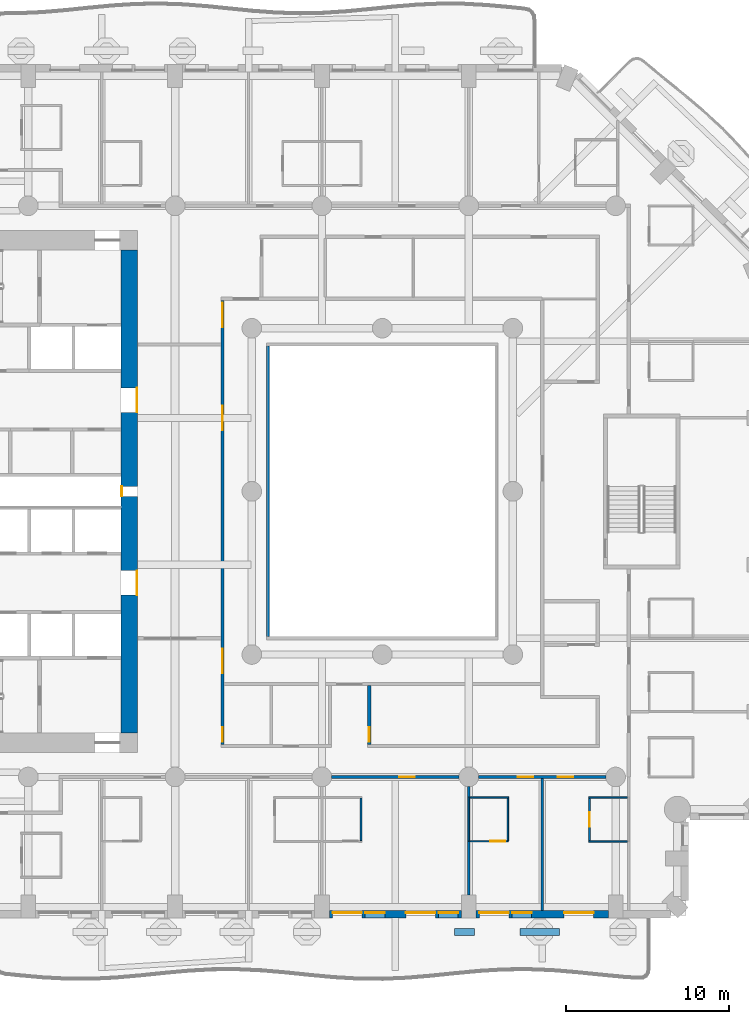
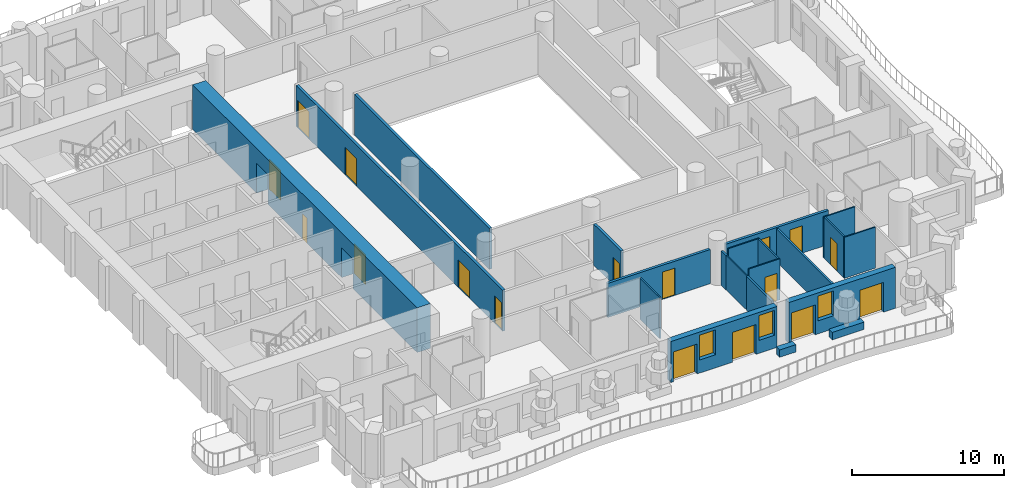
# One storey, part 5 of 20: 21 walls, 17 doors, 3 windows, 20 openings.
"""IFC4 building model written with IfcOpenShell, lengths in metres."""

from ifc_helpers import new_model, si_unit, direction, frame, frame_2d, origin, place, context, subcontext, project, spatial, rectangle, extrude, material, layer, layer_set, type_object, element, fill, save


model = new_model("IFC4")

# Units and contexts
model_context = context("Model", 3, precision=1e-05, world=origin(), true_north=direction((0.0, 1.0)))
body_context = subcontext(model_context, "Body", "Model", "MODEL_VIEW")
ifc_project = project(units=[si_unit("LENGTHUNIT", "METRE"), si_unit("AREAUNIT", "SQUARE_METRE"), si_unit("VOLUMEUNIT", "CUBIC_METRE"), si_unit("PLANEANGLEUNIT", "RADIAN"), si_unit("MASSUNIT", "GRAM", prefix="KILO")], contexts=[model_context])

# Site, building, storey
site_placement = place(None, origin())
site = spatial("IfcSite", under=ifc_project, at=site_placement, CompositionType="ELEMENT")
building_placement = place(site_placement, origin())
building = spatial("IfcBuilding", under=site, at=building_placement, Name="Cypress Arch Tower", CompositionType="ELEMENT")
storey_placement = place(building_placement, frame((0.0, 0.0, 91.5)))
storey = spatial("IfcBuildingStorey", under=building, at=storey_placement, Name="L17", CompositionType="ELEMENT", Elevation=91.5)

# Walls
ifc_material_1 = material(Name="Concrete C40/50, waterproofed", Category="concrete")
ifc_layer_1 = layer(ifc_material_1, 0.449951171875)
ifc_layer_set_1 = layer_set([ifc_layer_1], Name="Balcony planter wall PW450")
wall_type_1 = type_object("IfcWallType", Name="Balcony planter wall PW450", PredefinedType="SOLIDWALL", material=ifc_layer_set_1)
wall_1_placement = place(storey_placement, frame((5.419921875, -27.0, 0.0), z_axis=(0.0, 0.0, 1.0), x_axis=(1.0, 0.0, 0.0)))
element("IfcWall", 1, at=wall_1_placement, inside=storey, type_object=wall_type_1, Name="Balcony planter wall L17-A03.5", PredefinedType="SOLIDWALL", context=body_context, shape_type="SweptSolid", body=[
    extrude(rectangle(XDim=1.22998046875, YDim=0.449951171875, at=frame_2d((0.614990234375, 0.0))), origin(), (0.0, 0.0, 1.0), 0.60009765625),
])
wall_2_placement = place(storey_placement, frame((9.429931640625, -27.0, 0.0), z_axis=(0.0, 0.0, 1.0), x_axis=(1.0, 0.0, 0.0)))
element("IfcWall", 2, at=wall_2_placement, inside=storey, type_object=wall_type_1, Name="Balcony planter wall L17-A03.6", PredefinedType="SOLIDWALL", context=body_context, shape_type="SweptSolid", body=[
    extrude(rectangle(XDim=2.420166015625, YDim=0.449951171875, at=frame_2d((1.2099609375, 0.0))), origin(), (0.0, 0.0, 1.0), 0.60009765625),
])

# Wall, openings, doors, windows
ifc_material_2 = material(Name="Brick (red buff blend)", Category="masonry")
ifc_layer_2 = layer(ifc_material_2, 0.449951171875)
ifc_layer_set_2 = layer_set([ifc_layer_2], Name="Brick pier and spandrel wall BW450")
wall_type_2 = type_object("IfcWallType", Name="Brick pier and spandrel wall BW450", PredefinedType="SOLIDWALL", material=ifc_layer_set_2)
wall_3_placement = place(storey_placement, frame((-2.25, -25.925048828125, 0.0), z_axis=(0.0, 0.0, 1.0), x_axis=(1.0, 0.0, 0.0)))
wall_3 = element("IfcWall", 3, at=wall_3_placement, inside=storey, type_object=wall_type_2, Name="Brick wall L17 A03.3", PredefinedType="SOLIDWALL", context=body_context, shape_type="SweptSolid", body=[
    extrude(rectangle(XDim=8.10009765625, YDim=0.449951171875, at=frame_2d((4.050048828125, 0.0))), origin(), (0.0, 0.0, 1.0), 3.300048828125),
])
opening_1_placement = place(wall_3_placement, frame((0.199951171875, 0.0, 0.0)))
opening_1 = element("IfcOpeningElement", 4, at=opening_1_placement, cuts=wall_3, Name="Opening D-L17-A03.3.1", PredefinedType="OPENING", context=body_context, shape_type="SweptSolid", body=[
    extrude(rectangle(XDim=1.800048828125, YDim=2.39990234375, at=frame_2d((0.89990234375, 1.199951171875))), frame((0.0, 0.23486328125, 0.0), z_axis=(0.0, -1.0, 0.0), x_axis=(1.0, 0.0, 0.0)), (0.0, 0.0, 1.0), 0.469970703125),
])
opening_2_placement = place(wall_3_placement, frame((2.199951171875, 0.0, 1.050048828125)))
opening_2 = element("IfcOpeningElement", 5, at=opening_2_placement, cuts=wall_3, Name="Opening W120HD", PredefinedType="OPENING", context=body_context, shape_type="SweptSolid", body=[
    extrude(rectangle(XDim=1.199951171875, YDim=2.0, at=frame_2d((0.60009765625, 1.0))), frame((0.0, 0.23486328125, 0.0), z_axis=(0.0, -1.0, 0.0), x_axis=(1.0, 0.0, 0.0)), (0.0, 0.0, 1.0), 0.469970703125),
])
opening_3_placement = place(wall_3_placement, frame((4.699951171875, 0.0, 0.0)))
opening_3 = element("IfcOpeningElement", 6, at=opening_3_placement, cuts=wall_3, Name="Opening D-L17-A03.3.2", PredefinedType="OPENING", context=body_context, shape_type="SweptSolid", body=[
    extrude(rectangle(XDim=1.800048828125, YDim=2.39990234375, at=frame_2d((0.89990234375, 1.199951171875))), frame((0.0, 0.23486328125, 0.0), z_axis=(0.0, -1.0, 0.0), x_axis=(1.0, 0.0, 0.0)), (0.0, 0.0, 1.0), 0.469970703125),
])
opening_4_placement = place(wall_3_placement, frame((6.699951171875, 0.0, 1.050048828125)))
opening_4 = element("IfcOpeningElement", 7, at=opening_4_placement, cuts=wall_3, Name="Opening W120HD", PredefinedType="OPENING", context=body_context, shape_type="SweptSolid", body=[
    extrude(rectangle(XDim=1.199951171875, YDim=2.0, at=frame_2d((0.60009765625, 1.0))), frame((0.0, 0.23486328125, 0.0), z_axis=(0.0, -1.0, 0.0), x_axis=(1.0, 0.0, 0.0)), (0.0, 0.0, 1.0), 0.469970703125),
])
ifc_material_3 = material(Name="Anodised aluminium, bronze finish, laminated low-emissivity double glazing, large-missile impact rated", Category="aluminium")
door_type_1 = type_object("IfcDoorType", Name="Balcony sliding door 1800x2400", OperationType="SLIDING_TO_LEFT", PredefinedType="DOOR", material=ifc_material_3)
door_1_placement = place(opening_1_placement, origin())
door_1 = element("IfcDoor", 8, at=door_1_placement, inside=storey, type_object=door_type_1, Name="Balcony door L17 A03.3.1", OperationType="SLIDING_TO_LEFT", OverallHeight=2.39990234375, OverallWidth=1.800048828125, PredefinedType="DOOR", context=body_context, shape_type="SweptSolid", body=[
    extrude(rectangle(XDim=1.800048828125, YDim=2.39990234375, at=frame_2d((0.89990234375, 1.199951171875))), frame((0.0, 0.1298828125, 0.0), z_axis=(0.0, -1.0, 0.0), x_axis=(1.0, 0.0, 0.0)), (0.0, 0.0, 1.0), 0.050048828125),
])
fill(opening_1, door_1)
door_2_placement = place(opening_3_placement, origin())
door_2 = element("IfcDoor", 9, at=door_2_placement, inside=storey, type_object=door_type_1, Name="Balcony door L17 A03.3.2", OperationType="SLIDING_TO_LEFT", OverallHeight=2.39990234375, OverallWidth=1.800048828125, PredefinedType="DOOR", context=body_context, shape_type="SweptSolid", body=[
    extrude(rectangle(XDim=1.800048828125, YDim=2.39990234375, at=frame_2d((0.89990234375, 1.199951171875))), frame((0.0, 0.1298828125, 0.0), z_axis=(0.0, -1.0, 0.0), x_axis=(1.0, 0.0, 0.0)), (0.0, 0.0, 1.0), 0.050048828125),
])
fill(opening_3, door_2)
ifc_material_4 = material(Name="Anodised aluminium, bronze finish, laminated low-emissivity double glazing, large-missile impact rated", Category="aluminium")
window_type = type_object("IfcWindowType", Name="Window Hotel 1200x2000 debris-rated", PartitioningType="SINGLE_PANEL", PredefinedType="WINDOW", material=ifc_material_4)
window_1_placement = place(opening_2_placement, origin())
window_1 = element("IfcWindow", 10, at=window_1_placement, inside=storey, type_object=window_type, Name="Window L17 A03.3.1", OverallHeight=2.0, OverallWidth=1.199951171875, PartitioningType="SINGLE_PANEL", PredefinedType="WINDOW", context=body_context, shape_type="SweptSolid", body=[
    extrude(rectangle(XDim=1.199951171875, YDim=2.0, at=frame_2d((0.60009765625, 1.0))), frame((0.0, 0.135009765625, 0.0), z_axis=(0.0, -1.0, 0.0), x_axis=(1.0, 0.0, 0.0)), (0.0, 0.0, 1.0), 0.06005859375),
])
fill(opening_2, window_1)
window_2_placement = place(opening_4_placement, origin())
window_2 = element("IfcWindow", 11, at=window_2_placement, inside=storey, type_object=window_type, Name="Window L17 A03.3.2", OverallHeight=2.0, OverallWidth=1.199951171875, PartitioningType="SINGLE_PANEL", PredefinedType="WINDOW", context=body_context, shape_type="SweptSolid", body=[
    extrude(rectangle(XDim=1.199951171875, YDim=2.0, at=frame_2d((0.60009765625, 1.0))), frame((0.0, 0.135009765625, 0.0), z_axis=(0.0, -1.0, 0.0), x_axis=(1.0, 0.0, 0.0)), (0.0, 0.0, 1.0), 0.06005859375),
])
fill(opening_4, window_2)

# Wall, openings, doors, window
wall_4_placement = place(storey_placement, frame((6.75, -25.925048828125, 0.0), z_axis=(0.0, 0.0, 1.0), x_axis=(1.0, 0.0, 0.0)))
wall_4 = element("IfcWall", 12, at=wall_4_placement, inside=storey, type_object=wall_type_2, Name="Brick wall L17 A03.4", PredefinedType="SOLIDWALL", context=body_context, shape_type="SweptSolid", body=[
    extrude(rectangle(XDim=8.10009765625, YDim=0.449951171875, at=frame_2d((4.050048828125, 0.0))), origin(), (0.0, 0.0, 1.0), 3.300048828125),
])
opening_5_placement = place(wall_4_placement, frame((0.199951171875, 0.0, 0.0)))
opening_5 = element("IfcOpeningElement", 13, at=opening_5_placement, cuts=wall_4, Name="Opening D-L17-A03.4.1", PredefinedType="OPENING", context=body_context, shape_type="SweptSolid", body=[
    extrude(rectangle(XDim=1.800048828125, YDim=2.39990234375, at=frame_2d((0.89990234375, 1.199951171875))), frame((0.0, 0.23486328125, 0.0), z_axis=(0.0, -1.0, 0.0), x_axis=(1.0, 0.0, 0.0)), (0.0, 0.0, 1.0), 0.469970703125),
])
opening_6_placement = place(wall_4_placement, frame((2.199951171875, 0.0, 1.050048828125)))
opening_6 = element("IfcOpeningElement", 14, at=opening_6_placement, cuts=wall_4, Name="Opening W120HD", PredefinedType="OPENING", context=body_context, shape_type="SweptSolid", body=[
    extrude(rectangle(XDim=1.199951171875, YDim=2.0, at=frame_2d((0.60009765625, 1.0))), frame((0.0, 0.23486328125, 0.0), z_axis=(0.0, -1.0, 0.0), x_axis=(1.0, 0.0, 0.0)), (0.0, 0.0, 1.0), 0.469970703125),
])
opening_7_placement = place(wall_4_placement, frame((5.39990234375, 0.0, 0.0)))
opening_7 = element("IfcOpeningElement", 15, at=opening_7_placement, cuts=wall_4, Name="Opening D-L17-A03.4.2", PredefinedType="OPENING", context=body_context, shape_type="SweptSolid", body=[
    extrude(rectangle(XDim=1.800048828125, YDim=2.39990234375, at=frame_2d((0.89990234375, 1.199951171875))), frame((0.0, 0.23486328125, 0.0), z_axis=(0.0, -1.0, 0.0), x_axis=(1.0, 0.0, 0.0)), (0.0, 0.0, 1.0), 0.469970703125),
])
door_3_placement = place(opening_5_placement, origin())
door_3 = element("IfcDoor", 16, at=door_3_placement, inside=storey, type_object=door_type_1, Name="Balcony door L17 A03.4.1", OperationType="SLIDING_TO_LEFT", OverallHeight=2.39990234375, OverallWidth=1.800048828125, PredefinedType="DOOR", context=body_context, shape_type="SweptSolid", body=[
    extrude(rectangle(XDim=1.800048828125, YDim=2.39990234375, at=frame_2d((0.89990234375, 1.199951171875))), frame((0.0, 0.1298828125, 0.0), z_axis=(0.0, -1.0, 0.0), x_axis=(1.0, 0.0, 0.0)), (0.0, 0.0, 1.0), 0.050048828125),
])
fill(opening_5, door_3)
door_4_placement = place(opening_7_placement, origin())
door_4 = element("IfcDoor", 17, at=door_4_placement, inside=storey, type_object=door_type_1, Name="Balcony door L17 A03.4.2", OperationType="SLIDING_TO_LEFT", OverallHeight=2.39990234375, OverallWidth=1.800048828125, PredefinedType="DOOR", context=body_context, shape_type="SweptSolid", body=[
    extrude(rectangle(XDim=1.800048828125, YDim=2.39990234375, at=frame_2d((0.89990234375, 1.199951171875))), frame((0.0, 0.1298828125, 0.0), z_axis=(0.0, -1.0, 0.0), x_axis=(1.0, 0.0, 0.0)), (0.0, 0.0, 1.0), 0.050048828125),
])
fill(opening_7, door_4)
window_3_placement = place(opening_6_placement, origin())
window_3 = element("IfcWindow", 18, at=window_3_placement, inside=storey, type_object=window_type, Name="Window L17 A03.4.1", OverallHeight=2.0, OverallWidth=1.199951171875, PartitioningType="SINGLE_PANEL", PredefinedType="WINDOW", context=body_context, shape_type="SweptSolid", body=[
    extrude(rectangle(XDim=1.199951171875, YDim=2.0, at=frame_2d((0.60009765625, 1.0))), frame((0.0, 0.135009765625, 0.0), z_axis=(0.0, -1.0, 0.0), x_axis=(1.0, 0.0, 0.0)), (0.0, 0.0, 1.0), 0.06005859375),
])
fill(opening_6, window_3)

# Wall, openings, doors
ifc_material_5 = material(Name="Concrete C80/95", Category="concrete")
ifc_layer_3 = layer(ifc_material_5, 1.0)
ifc_layer_set_3 = layer_set([ifc_layer_3], Name="Core wall CW1000 C80/95")
wall_type_3 = type_object("IfcWallType", Name="Core wall CW1000 C80/95", PredefinedType="SHEAR", material=ifc_layer_set_3)
wall_5_placement = place(storey_placement, frame((-14.5, -14.800048828125, 0.0), z_axis=(0.0, 0.0, 1.0), x_axis=(0.0, 1.0, 0.0)))
wall_5 = element("IfcWall", 19, at=wall_5_placement, inside=storey, type_object=wall_type_3, Name="Core wall", PredefinedType="SHEAR", context=body_context, shape_type="SweptSolid", body=[
    extrude(rectangle(XDim=29.60009765625, YDim=1.0, at=frame_2d((14.800048828125, 0.0))), origin(), (0.0, 0.0, 1.0), 3.60009765625),
])
opening_8_placement = place(wall_5_placement, frame((8.449951171875, 0.0, 0.0)))
opening_8 = element("IfcOpeningElement", 20, at=opening_8_placement, cuts=wall_5, Name="Opening D07", PredefinedType="OPENING", context=body_context, shape_type="SweptSolid", body=[
    extrude(rectangle(XDim=1.5, YDim=2.39990234375, at=frame_2d((0.75, 1.199951171875))), frame((0.0, 0.510009765625, 0.0), z_axis=(0.0, -1.0, 0.0), x_axis=(1.0, 0.0, 0.0)), (0.0, 0.0, 1.0), 1.02001953125),
])
opening_9_placement = place(wall_5_placement, frame((19.64990234375, 0.0, 0.0)))
opening_9 = element("IfcOpeningElement", 21, at=opening_9_placement, cuts=wall_5, Name="Opening D07", PredefinedType="OPENING", context=body_context, shape_type="SweptSolid", body=[
    extrude(rectangle(XDim=1.5, YDim=2.39990234375, at=frame_2d((0.75, 1.199951171875))), frame((0.0, 0.510009765625, 0.0), z_axis=(0.0, -1.0, 0.0), x_axis=(1.0, 0.0, 0.0)), (0.0, 0.0, 1.0), 1.02001953125),
])
opening_10_placement = place(wall_5_placement, frame((14.5, 0.0, 0.0)))
opening_10 = element("IfcOpeningElement", 22, at=opening_10_placement, cuts=wall_5, Name="Opening D08", PredefinedType="OPENING", context=body_context, shape_type="SweptSolid", body=[
    extrude(rectangle(XDim=0.60009765625, YDim=2.0, at=frame_2d((0.300048828125, 1.0))), frame((0.0, 0.510009765625, 0.0), z_axis=(0.0, -1.0, 0.0), x_axis=(1.0, 0.0, 0.0)), (0.0, 0.0, 1.0), 1.02001953125),
])
ifc_material_6 = material(Name="Steel framed glazed door, fire resisting", Category="steel")
door_type_2 = type_object("IfcDoorType", Name="Lobby door D07 1500x2400", OperationType="DOUBLE_DOOR_SINGLE_SWING", PredefinedType="DOOR", material=ifc_material_6)
door_5_placement = place(opening_8_placement, origin())
door_5 = element("IfcDoor", 23, at=door_5_placement, inside=storey, type_object=door_type_2, Name="Lobby door", OperationType="DOUBLE_DOOR_SINGLE_SWING", OverallHeight=2.39990234375, OverallWidth=1.5, PredefinedType="DOOR", context=body_context, shape_type="SweptSolid", body=[
    extrude(rectangle(XDim=1.5, YDim=2.39990234375, at=frame_2d((0.75, 1.199951171875))), frame((0.0, -0.44482421875, 0.0), z_axis=(0.0, -1.0, 0.0), x_axis=(1.0, 0.0, 0.0)), (0.0, 0.0, 1.0), 0.050048828125),
])
fill(opening_8, door_5)
door_6_placement = place(opening_9_placement, origin())
door_6 = element("IfcDoor", 24, at=door_6_placement, inside=storey, type_object=door_type_2, Name="Lobby door", OperationType="DOUBLE_DOOR_SINGLE_SWING", OverallHeight=2.39990234375, OverallWidth=1.5, PredefinedType="DOOR", context=body_context, shape_type="SweptSolid", body=[
    extrude(rectangle(XDim=1.5, YDim=2.39990234375, at=frame_2d((0.75, 1.199951171875))), frame((0.0, -0.44482421875, 0.0), z_axis=(0.0, -1.0, 0.0), x_axis=(1.0, 0.0, 0.0)), (0.0, 0.0, 1.0), 0.050048828125),
])
fill(opening_9, door_6)
ifc_material_7 = material(Name="Steel access door, fire resisting", Category="steel")
door_type_3 = type_object("IfcDoorType", Name="Riser access door D08 600x2000", OperationType="SINGLE_SWING_LEFT", PredefinedType="DOOR", material=ifc_material_7)
door_7_placement = place(opening_10_placement, origin())
door_7 = element("IfcDoor", 25, at=door_7_placement, inside=storey, type_object=door_type_3, Name="Riser access door", OperationType="SINGLE_SWING_RIGHT", OverallHeight=2.0, OverallWidth=0.60009765625, PredefinedType="DOOR", context=body_context, shape_type="SweptSolid", body=[
    extrude(rectangle(XDim=0.60009765625, YDim=2.0, at=frame_2d((0.300048828125, 1.0))), frame((0.0, 0.4951171875, 0.0), z_axis=(0.0, -1.0, 0.0), x_axis=(1.0, 0.0, 0.0)), (0.0, 0.0, 1.0), 0.050048828125),
])
fill(opening_10, door_7)

# Wall, opening, door
ifc_material_8 = material(Name="Concrete blockwork, plastered, rated", Category="masonry")
ifc_layer_4 = layer(ifc_material_8, 0.199951171875)
ifc_layer_set_4 = layer_set([ifc_layer_4], Name="Corridor wall FW200")
wall_type_4 = type_object("IfcWallType", Name="Corridor wall FW200", PredefinedType="PARTITIONING", material=ifc_layer_set_4)
wall_6_placement = place(storey_placement, frame((-2.10009765625, -17.5, 0.0), z_axis=(0.0, 0.0, 1.0), x_axis=(1.0, 0.0, 0.0)))
wall_6 = element("IfcWall", 26, at=wall_6_placement, inside=storey, type_object=wall_type_4, Name="Corridor wall", PredefinedType="PARTITIONING", context=body_context, shape_type="SweptSolid", body=[
    extrude(rectangle(XDim=7.800048828125, YDim=0.199951171875, at=frame_2d((3.89990234375, 0.0))), origin(), (0.0, 0.0, 1.0), 2.75),
])
opening_11_placement = place(wall_6_placement, frame((4.14990234375, 0.0, 0.0)))
opening_11 = element("IfcOpeningElement", 27, at=opening_11_placement, cuts=wall_6, Name="Opening D02", PredefinedType="OPENING", context=body_context, shape_type="SweptSolid", body=[
    extrude(rectangle(XDim=0.949951171875, YDim=2.199951171875, at=frame_2d((0.47509765625, 1.10009765625))), frame((0.0, 0.10986328125, 0.0), z_axis=(0.0, -1.0, 0.0), x_axis=(1.0, 0.0, 0.0)), (0.0, 0.0, 1.0), 0.219970703125),
])
ifc_material_9 = material(Name="Timber flush door, fire resisting", Category="wood")
door_type_4 = type_object("IfcDoorType", Name="Room door D02 950x2200", OperationType="SINGLE_SWING_LEFT", PredefinedType="DOOR", material=ifc_material_9)
door_8_placement = place(opening_11_placement, origin())
door_8 = element("IfcDoor", 28, at=door_8_placement, inside=storey, type_object=door_type_4, Name="Room door", OperationType="SINGLE_SWING_LEFT", OverallHeight=2.199951171875, OverallWidth=0.949951171875, PredefinedType="DOOR", context=body_context, shape_type="SweptSolid", body=[
    extrude(rectangle(XDim=0.949951171875, YDim=2.199951171875, at=frame_2d((0.47509765625, 1.10009765625))), frame((0.0, 0.02490234375, 0.0), z_axis=(0.0, -1.0, 0.0), x_axis=(1.0, 0.0, 0.0)), (0.0, 0.0, 1.0), 0.050048828125),
])
fill(opening_11, door_8)

# Wall, openings, doors
wall_7_placement = place(storey_placement, frame((6.89990234375, -17.5, 0.0), z_axis=(0.0, 0.0, 1.0), x_axis=(1.0, 0.0, 0.0)))
wall_7 = element("IfcWall", 29, at=wall_7_placement, inside=storey, type_object=wall_type_4, Name="Corridor wall", PredefinedType="PARTITIONING", context=body_context, shape_type="SweptSolid", body=[
    extrude(rectangle(XDim=7.800048828125, YDim=0.199951171875, at=frame_2d((3.89990234375, 0.0))), origin(), (0.0, 0.0, 1.0), 2.75),
])
opening_12_placement = place(wall_7_placement, frame((2.39990234375, 0.0, 0.0)))
opening_12 = element("IfcOpeningElement", 30, at=opening_12_placement, cuts=wall_7, Name="Opening D02", PredefinedType="OPENING", context=body_context, shape_type="SweptSolid", body=[
    extrude(rectangle(XDim=0.949951171875, YDim=2.199951171875, at=frame_2d((0.47509765625, 1.10009765625))), frame((0.0, 0.10986328125, 0.0), z_axis=(0.0, -1.0, 0.0), x_axis=(1.0, 0.0, 0.0)), (0.0, 0.0, 1.0), 0.219970703125),
])
opening_13_placement = place(wall_7_placement, frame((4.85009765625, 0.0, 0.0)))
opening_13 = element("IfcOpeningElement", 31, at=opening_13_placement, cuts=wall_7, Name="Opening D02", PredefinedType="OPENING", context=body_context, shape_type="SweptSolid", body=[
    extrude(rectangle(XDim=0.949951171875, YDim=2.199951171875, at=frame_2d((0.47509765625, 1.10009765625))), frame((0.0, 0.10986328125, 0.0), z_axis=(0.0, -1.0, 0.0), x_axis=(1.0, 0.0, 0.0)), (0.0, 0.0, 1.0), 0.219970703125),
])
door_9_placement = place(opening_12_placement, origin())
door_9 = element("IfcDoor", 32, at=door_9_placement, inside=storey, type_object=door_type_4, Name="Room door", OperationType="SINGLE_SWING_LEFT", OverallHeight=2.199951171875, OverallWidth=0.949951171875, PredefinedType="DOOR", context=body_context, shape_type="SweptSolid", body=[
    extrude(rectangle(XDim=0.949951171875, YDim=2.199951171875, at=frame_2d((0.47509765625, 1.10009765625))), frame((0.0, 0.02490234375, 0.0), z_axis=(0.0, -1.0, 0.0), x_axis=(1.0, 0.0, 0.0)), (0.0, 0.0, 1.0), 0.050048828125),
])
fill(opening_12, door_9)
door_10_placement = place(opening_13_placement, origin())
door_10 = element("IfcDoor", 33, at=door_10_placement, inside=storey, type_object=door_type_4, Name="Room door", OperationType="SINGLE_SWING_RIGHT", OverallHeight=2.199951171875, OverallWidth=0.949951171875, PredefinedType="DOOR", context=body_context, shape_type="SweptSolid", body=[
    extrude(rectangle(XDim=0.949951171875, YDim=2.199951171875, at=frame_2d((0.47509765625, 1.10009765625))), frame((0.0, 0.02490234375, 0.0), z_axis=(0.0, -1.0, 0.0), x_axis=(1.0, 0.0, 0.0)), (0.0, 0.0, 1.0), 0.050048828125),
])
fill(opening_13, door_10)

wall_8_placement = place(storey_placement, frame((-8.800048828125, -15.5, 0.0), z_axis=(0.0, 0.0, 1.0), x_axis=(0.0, 1.0, 0.0)))
wall_8 = element("IfcWall", 34, at=wall_8_placement, inside=storey, type_object=wall_type_4, Name="Corridor wall", PredefinedType="PARTITIONING", context=body_context, shape_type="SweptSolid", body=[
    extrude(rectangle(XDim=27.199951171875, YDim=0.199951171875, at=frame_2d((13.60009765625, 0.0))), origin(), (0.0, 0.0, 1.0), 3.300048828125),
])
opening_14_placement = place(wall_8_placement, frame((19.25, 0.0, 0.0)))
opening_14 = element("IfcOpeningElement", 35, at=opening_14_placement, cuts=wall_8, Name="Opening D04", PredefinedType="OPENING", context=body_context, shape_type="SweptSolid", body=[
    extrude(rectangle(XDim=1.5, YDim=2.199951171875, at=frame_2d((0.75, 1.10009765625))), frame((0.0, 0.10986328125, 0.0), z_axis=(0.0, -1.0, 0.0), x_axis=(1.0, 0.0, 0.0)), (0.0, 0.0, 1.0), 0.219970703125),
])
opening_15_placement = place(wall_8_placement, frame((4.35009765625, 0.0, 0.0)))
opening_15 = element("IfcOpeningElement", 36, at=opening_15_placement, cuts=wall_8, Name="Opening D04", PredefinedType="OPENING", context=body_context, shape_type="SweptSolid", body=[
    extrude(rectangle(XDim=1.5, YDim=2.199951171875, at=frame_2d((0.75, 1.10009765625))), frame((0.0, 0.10986328125, 0.0), z_axis=(0.0, -1.0, 0.0), x_axis=(1.0, 0.0, 0.0)), (0.0, 0.0, 1.0), 0.219970703125),
])
opening_16_placement = place(wall_8_placement, frame((25.550048828125, 0.0, 0.0)))
opening_16 = element("IfcOpeningElement", 37, at=opening_16_placement, cuts=wall_8, Name="Opening D04", PredefinedType="OPENING", context=body_context, shape_type="SweptSolid", body=[
    extrude(rectangle(XDim=1.5, YDim=2.199951171875, at=frame_2d((0.75, 1.10009765625))), frame((0.0, 0.10986328125, 0.0), z_axis=(0.0, -1.0, 0.0), x_axis=(1.0, 0.0, 0.0)), (0.0, 0.0, 1.0), 0.219970703125),
])
opening_17_placement = place(wall_8_placement, frame((0.14990234375, 0.0, 0.0)))
opening_17 = element("IfcOpeningElement", 38, at=opening_17_placement, cuts=wall_8, Name="Opening D05", PredefinedType="OPENING", context=body_context, shape_type="SweptSolid", body=[
    extrude(rectangle(XDim=0.89990234375, YDim=2.199951171875, at=frame_2d((0.449951171875, 1.10009765625))), frame((0.0, 0.10986328125, 0.0), z_axis=(0.0, -1.0, 0.0), x_axis=(1.0, 0.0, 0.0)), (0.0, 0.0, 1.0), 0.219970703125),
])
ifc_material_10 = material(Name="Timber double door", Category="wood")
door_type_5 = type_object("IfcDoorType", Name="Double door D04 1500x2200", OperationType="DOUBLE_DOOR_SINGLE_SWING", PredefinedType="DOOR", material=ifc_material_10)
door_11_placement = place(opening_14_placement, origin())
door_11 = element("IfcDoor", 39, at=door_11_placement, inside=storey, type_object=door_type_5, Name="Double door", OperationType="DOUBLE_DOOR_SINGLE_SWING", OverallHeight=2.199951171875, OverallWidth=1.5, PredefinedType="DOOR", context=body_context, shape_type="SweptSolid", body=[
    extrude(rectangle(XDim=1.5, YDim=2.199951171875, at=frame_2d((0.75, 1.10009765625))), frame((0.0, 0.02490234375, 0.0), z_axis=(0.0, -1.0, 0.0), x_axis=(1.0, 0.0, 0.0)), (0.0, 0.0, 1.0), 0.050048828125),
])
fill(opening_14, door_11)
door_12_placement = place(opening_15_placement, origin())
door_12 = element("IfcDoor", 40, at=door_12_placement, inside=storey, type_object=door_type_5, Name="Double door", OperationType="DOUBLE_DOOR_SINGLE_SWING", OverallHeight=2.199951171875, OverallWidth=1.5, PredefinedType="DOOR", context=body_context, shape_type="SweptSolid", body=[
    extrude(rectangle(XDim=1.5, YDim=2.199951171875, at=frame_2d((0.75, 1.10009765625))), frame((0.0, 0.02490234375, 0.0), z_axis=(0.0, -1.0, 0.0), x_axis=(1.0, 0.0, 0.0)), (0.0, 0.0, 1.0), 0.050048828125),
])
fill(opening_15, door_12)
door_13_placement = place(opening_16_placement, origin())
door_13 = element("IfcDoor", 41, at=door_13_placement, inside=storey, type_object=door_type_5, Name="Double door", OperationType="DOUBLE_DOOR_SINGLE_SWING", OverallHeight=2.199951171875, OverallWidth=1.5, PredefinedType="DOOR", context=body_context, shape_type="SweptSolid", body=[
    extrude(rectangle(XDim=1.5, YDim=2.199951171875, at=frame_2d((0.75, 1.10009765625))), frame((0.0, 0.02490234375, 0.0), z_axis=(0.0, -1.0, 0.0), x_axis=(1.0, 0.0, 0.0)), (0.0, 0.0, 1.0), 0.050048828125),
])
fill(opening_16, door_13)
ifc_material_11 = material(Name="Timber flush door", Category="wood")
door_type_6 = type_object("IfcDoorType", Name="Service door D05 900x2200", OperationType="SINGLE_SWING_LEFT", PredefinedType="DOOR", material=ifc_material_11)
door_14_placement = place(opening_17_placement, origin())
door_14 = element("IfcDoor", 42, at=door_14_placement, inside=storey, type_object=door_type_6, Name="Service door", OperationType="SINGLE_SWING_RIGHT", OverallHeight=2.199951171875, OverallWidth=0.89990234375, PredefinedType="DOOR", context=body_context, shape_type="SweptSolid", body=[
    extrude(rectangle(XDim=0.89990234375, YDim=2.199951171875, at=frame_2d((0.449951171875, 1.10009765625))), frame((0.0, 0.02490234375, 0.0), z_axis=(0.0, -1.0, 0.0), x_axis=(1.0, 0.0, 0.0)), (0.0, 0.0, 1.0), 0.050048828125),
])
fill(opening_17, door_14)

# Wall
wall_9_placement = place(storey_placement, frame((-6.0, -8.89990234375, 0.0), z_axis=(0.0, 0.0, 1.0), x_axis=(0.0, 1.0, 0.0)))
element("IfcWall", 43, at=wall_9_placement, inside=storey, type_object=wall_type_4, Name="Corridor wall", PredefinedType="PARTITIONING", context=body_context, shape_type="SweptSolid", body=[
    extrude(rectangle(XDim=17.7998046875, YDim=0.199951171875, at=frame_2d((8.89990234375, 0.0))), origin(), (0.0, 0.0, 1.0), 3.300048828125),
])

# Wall, opening, door
wall_10_placement = place(storey_placement, frame((0.199951171875, -15.5, 0.0), z_axis=(0.0, 0.0, 1.0), x_axis=(0.0, 1.0, 0.0)))
wall_10 = element("IfcWall", 44, at=wall_10_placement, inside=storey, type_object=wall_type_4, Name="Corridor wall", PredefinedType="PARTITIONING", context=body_context, shape_type="SweptSolid", body=[
    extrude(rectangle(XDim=3.60009765625, YDim=0.199951171875, at=frame_2d((1.800048828125, 0.0))), origin(), (0.0, 0.0, 1.0), 3.300048828125),
])
opening_18_placement = place(wall_10_placement, frame((0.14990234375, 0.0, 0.0)))
opening_18 = element("IfcOpeningElement", 45, at=opening_18_placement, cuts=wall_10, Name="Opening D03", PredefinedType="OPENING", context=body_context, shape_type="SweptSolid", body=[
    extrude(rectangle(XDim=0.89990234375, YDim=2.199951171875, at=frame_2d((0.449951171875, 1.10009765625))), frame((0.0, 0.10986328125, 0.0), z_axis=(0.0, -1.0, 0.0), x_axis=(1.0, 0.0, 0.0)), (0.0, 0.0, 1.0), 0.219970703125),
])
ifc_material_12 = material(Name="Timber flush door, moisture resistant", Category="wood")
door_type_7 = type_object("IfcDoorType", Name="Bathroom door D03 900x2200", OperationType="SINGLE_SWING_LEFT", PredefinedType="DOOR", material=ifc_material_12)
door_15_placement = place(opening_18_placement, origin())
door_15 = element("IfcDoor", 46, at=door_15_placement, inside=storey, type_object=door_type_7, Name="Bathroom door", OperationType="SINGLE_SWING_RIGHT", OverallHeight=2.199951171875, OverallWidth=0.89990234375, PredefinedType="DOOR", context=body_context, shape_type="SweptSolid", body=[
    extrude(rectangle(XDim=0.89990234375, YDim=2.199951171875, at=frame_2d((0.449951171875, 1.10009765625))), frame((0.0, 0.02490234375, 0.0), z_axis=(0.0, -1.0, 0.0), x_axis=(1.0, 0.0, 0.0)), (0.0, 0.0, 1.0), 0.050048828125),
])
fill(opening_18, door_15)

# Walls
ifc_material_13 = material(Name="Blockwork, plastered both sides", Category="masonry")
ifc_layer_5 = layer(ifc_material_13, 0.14990234375)
ifc_layer_set_5 = layer_set([ifc_layer_5], Name="Partition PW150")
wall_type_5 = type_object("IfcWallType", Name="Partition PW150", PredefinedType="PARTITIONING", material=ifc_layer_set_5)
wall_11_placement = place(storey_placement, frame((6.300048828125, -24.75, 0.0), z_axis=(0.0, 0.0, 1.0), x_axis=(0.0, 1.0, 0.0)))
element("IfcWall", 47, at=wall_11_placement, inside=storey, type_object=wall_type_5, Name="Partition", PredefinedType="PARTITIONING", context=body_context, shape_type="SweptSolid", body=[
    extrude(rectangle(XDim=3.320068359375, YDim=0.14990234375, at=frame_2d((1.66015625, 0.0))), origin(), (0.0, 0.0, 1.0), 2.75),
])
wall_12_placement = place(storey_placement, frame((6.300048828125, -18.72998046875, 0.0), z_axis=(0.0, 0.0, 1.0), x_axis=(0.0, 1.0, 0.0)))
element("IfcWall", 48, at=wall_12_placement, inside=storey, type_object=wall_type_5, Name="Partition", PredefinedType="PARTITIONING", context=body_context, shape_type="SweptSolid", body=[
    extrude(rectangle(XDim=0.6298828125, YDim=0.14990234375, at=frame_2d((0.31494140625, 0.0))), origin(), (0.0, 0.0, 1.0), 2.75),
])
wall_13_placement = place(storey_placement, frame((10.800048828125, -25.699951171875, 0.0), z_axis=(0.0, 0.0, 1.0), x_axis=(0.0, 1.0, 0.0)))
element("IfcWall", 49, at=wall_13_placement, inside=storey, type_object=wall_type_5, Name="Partition", PredefinedType="PARTITIONING", context=body_context, shape_type="SweptSolid", body=[
    extrude(rectangle(XDim=8.099853515625, YDim=0.14990234375, at=frame_2d((4.0498046875, 0.0))), origin(), (0.0, 0.0, 1.0), 2.64990234375),
])
ifc_material_14 = material(Name="Moisture resistant board on steel studs, tiled", Category="steel")
ifc_layer_6 = layer(ifc_material_14, 0.10009765625)
ifc_layer_set_6 = layer_set([ifc_layer_6], Name="Wet wall PW100")
wall_type_6 = type_object("IfcWallType", Name="Wet wall PW100", PredefinedType="PARTITIONING", material=ifc_layer_set_6)
wall_14_placement = place(storey_placement, frame((-0.303955078125, -21.39990234375, 0.0), z_axis=(0.0, 0.0, 1.0), x_axis=(0.0, 1.0, 0.0)))
element("IfcWall", 50, at=wall_14_placement, inside=storey, type_object=wall_type_6, Name="Wet wall", PredefinedType="PARTITIONING", context=body_context, shape_type="SweptSolid", body=[
    extrude(rectangle(XDim=2.599853515625, YDim=0.10009765625, at=frame_2d((1.2998046875, 0.0))), origin(), (0.0, 0.0, 1.0), 3.300048828125),
])
wall_15_placement = place(storey_placement, frame((6.300048828125, -21.429931640625, 0.0), z_axis=(0.0, 0.0, 1.0), x_axis=(0.0, 1.0, 0.0)))
element("IfcWall", 51, at=wall_15_placement, inside=storey, type_object=wall_type_6, Name="Wet wall", PredefinedType="PARTITIONING", context=body_context, shape_type="SweptSolid", body=[
    extrude(rectangle(XDim=2.699951171875, YDim=0.10009765625, at=frame_2d((1.35009765625, 0.0))), origin(), (0.0, 0.0, 1.0), 2.75),
])

# Wall, opening, door
wall_16_placement = place(storey_placement, frame((6.375, -21.449951171875, 0.0), z_axis=(0.0, 0.0, 1.0), x_axis=(1.0, 0.0, 0.0)))
wall_16 = element("IfcWall", 52, at=wall_16_placement, inside=storey, type_object=wall_type_6, Name="Wet wall", PredefinedType="PARTITIONING", context=body_context, shape_type="SweptSolid", body=[
    extrude(rectangle(XDim=2.37109375, YDim=0.10009765625, at=frame_2d((1.185546875, 0.0))), origin(), (0.0, 0.0, 1.0), 3.300048828125),
])
opening_19_placement = place(wall_16_placement, frame((1.25, 0.0, 0.0)))
opening_19 = element("IfcOpeningElement", 53, at=opening_19_placement, cuts=wall_16, Name="Opening D03", PredefinedType="OPENING", context=body_context, shape_type="SweptSolid", body=[
    extrude(rectangle(XDim=0.89990234375, YDim=2.199951171875, at=frame_2d((0.449951171875, 1.10009765625))), frame((0.0, 0.06005859375, 0.0), z_axis=(0.0, -1.0, 0.0), x_axis=(1.0, 0.0, 0.0)), (0.0, 0.0, 1.0), 0.1201171875),
])
door_16_placement = place(opening_19_placement, origin())
door_16 = element("IfcDoor", 54, at=door_16_placement, inside=storey, type_object=door_type_7, Name="Bathroom door", OperationType="SINGLE_SWING_RIGHT", OverallHeight=2.199951171875, OverallWidth=0.89990234375, PredefinedType="DOOR", context=body_context, shape_type="SweptSolid", body=[
    extrude(rectangle(XDim=0.89990234375, YDim=2.199951171875, at=frame_2d((0.449951171875, 1.10009765625))), frame((0.0, 0.02490234375, 0.0), z_axis=(0.0, -1.0, 0.0), x_axis=(1.0, 0.0, 0.0)), (0.0, 0.0, 1.0), 0.050048828125),
])
fill(opening_19, door_16)

# Walls
wall_17_placement = place(storey_placement, frame((6.375, -18.75, 0.0), z_axis=(0.0, 0.0, 1.0), x_axis=(1.0, 0.0, 0.0)))
element("IfcWall", 55, at=wall_17_placement, inside=storey, type_object=wall_type_6, Name="Wet wall", PredefinedType="PARTITIONING", context=body_context, shape_type="SweptSolid", body=[
    extrude(rectangle(XDim=2.37109375, YDim=0.10009765625, at=frame_2d((1.185546875, 0.0))), origin(), (0.0, 0.0, 1.0), 3.300048828125),
])
wall_18_placement = place(storey_placement, frame((8.696044921875, -21.39990234375, 0.0), z_axis=(0.0, 0.0, 1.0), x_axis=(0.0, 1.0, 0.0)))
element("IfcWall", 56, at=wall_18_placement, inside=storey, type_object=wall_type_6, Name="Wet wall", PredefinedType="PARTITIONING", context=body_context, shape_type="SweptSolid", body=[
    extrude(rectangle(XDim=2.599853515625, YDim=0.10009765625, at=frame_2d((1.2998046875, 0.0))), origin(), (0.0, 0.0, 1.0), 3.300048828125),
])

# Wall, opening, door
wall_19_placement = place(storey_placement, frame((13.699951171875, -21.39990234375, 0.0), z_axis=(0.0, 0.0, 1.0), x_axis=(0.0, 1.0, 0.0)))
wall_19 = element("IfcWall", 57, at=wall_19_placement, inside=storey, type_object=wall_type_6, Name="Wet wall", PredefinedType="PARTITIONING", context=body_context, shape_type="SweptSolid", body=[
    extrude(rectangle(XDim=2.599853515625, YDim=0.10009765625, at=frame_2d((1.2998046875, 0.0))), origin(), (0.0, 0.0, 1.0), 3.300048828125),
])
opening_20_placement = place(wall_19_placement, frame((0.85009765625, 0.0, 0.0)))
opening_20 = element("IfcOpeningElement", 58, at=opening_20_placement, cuts=wall_19, Name="Opening D03", PredefinedType="OPENING", context=body_context, shape_type="SweptSolid", body=[
    extrude(rectangle(XDim=0.89990234375, YDim=2.199951171875, at=frame_2d((0.449951171875, 1.10009765625))), frame((0.0, 0.06005859375, 0.0), z_axis=(0.0, -1.0, 0.0), x_axis=(1.0, 0.0, 0.0)), (0.0, 0.0, 1.0), 0.1201171875),
])
door_17_placement = place(opening_20_placement, origin())
door_17 = element("IfcDoor", 59, at=door_17_placement, inside=storey, type_object=door_type_7, Name="Bathroom door", OperationType="SINGLE_SWING_LEFT", OverallHeight=2.199951171875, OverallWidth=0.89990234375, PredefinedType="DOOR", context=body_context, shape_type="SweptSolid", body=[
    extrude(rectangle(XDim=0.89990234375, YDim=2.199951171875, at=frame_2d((0.449951171875, 1.10009765625))), frame((0.0, 0.02490234375, 0.0), z_axis=(0.0, -1.0, 0.0), x_axis=(1.0, 0.0, 0.0)), (0.0, 0.0, 1.0), 0.050048828125),
])
fill(opening_20, door_17)

# Walls
for number, where, z_axis, x_axis, name in (
    (60, (13.64990234375, -21.449951171875, 0.0), (0.0, 0.0, 1.0), (1.0, 0.0, 0.0), "Wet wall"),
    (61, (13.64990234375, -18.75, 0.0), (0.0, 0.0, 1.0), (1.0, 0.0, 0.0), "Wet wall"),
):
    element("IfcWall", number, at=place(storey_placement, frame(where, z_axis=z_axis, x_axis=x_axis)), inside=storey, type_object=wall_type_6, Name=name, PredefinedType="PARTITIONING", context=body_context, shape_type="SweptSolid", body=[
        extrude(rectangle(XDim=2.375, YDim=0.10009765625, at=frame_2d((1.1875, 0.0))), origin(), (0.0, 0.0, 1.0), 3.300048828125),
    ])

save(model, "model.ifc")
